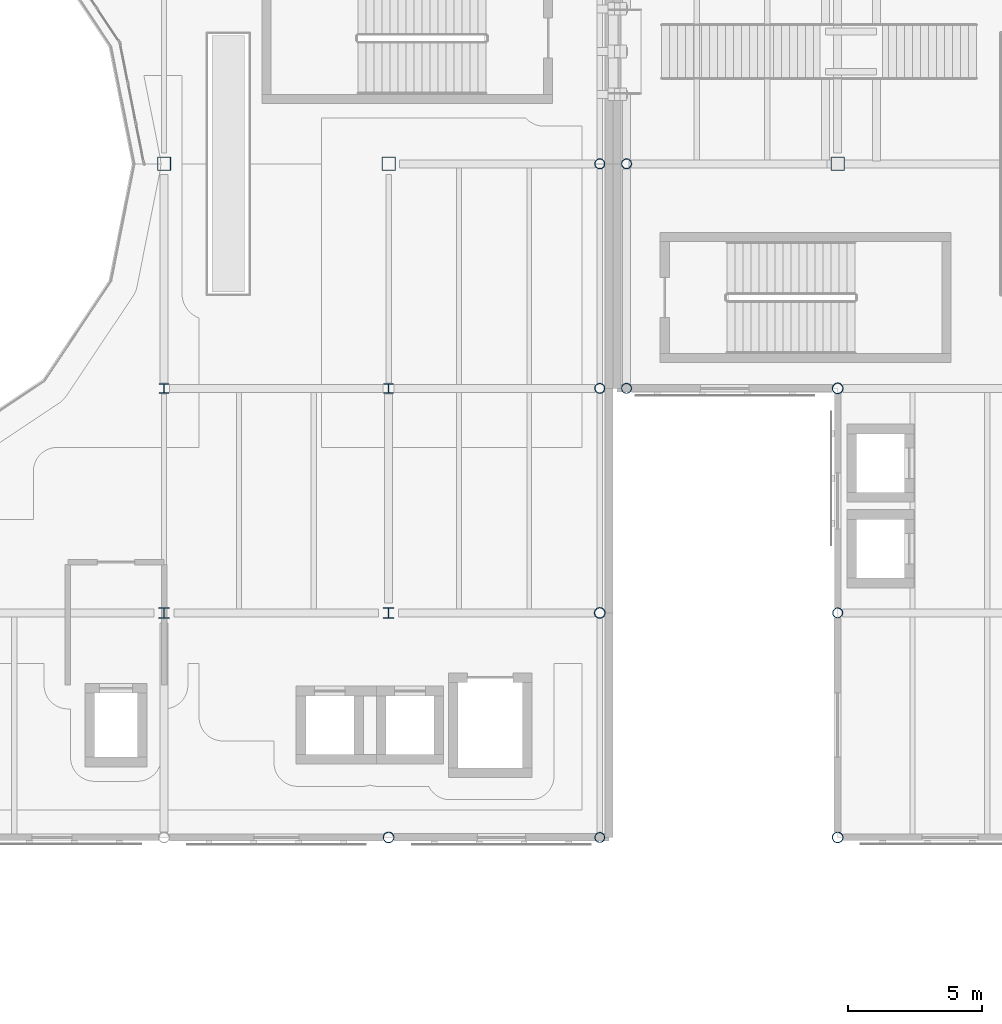
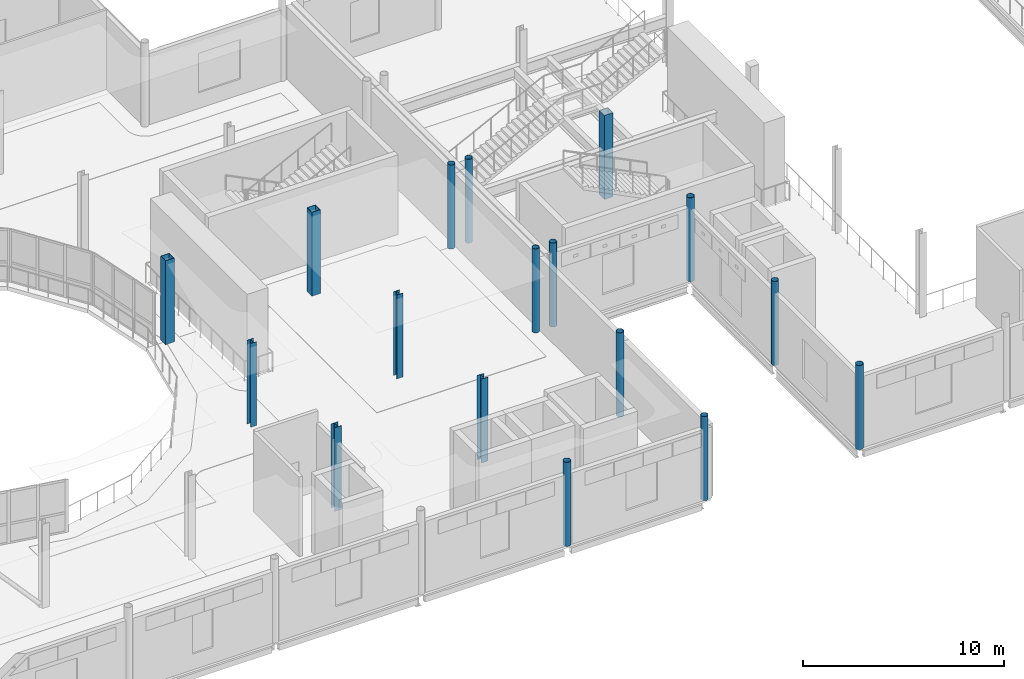
# One storey, part 2 of 104: 17 columns.
"""IFC4 building model written with IfcOpenShell, lengths in metres."""

from ifc_helpers import new_model, si_unit, direction, frame, origin, origin_2d, place, context, subcontext, project, spatial, hollow_rectangle, hollow_circle, i_section, extrude, material, material_profile, profile_set, type_object, element, save


model = new_model("IFC4")

# Units and contexts
model_context = context("Model", 3, precision=1e-05, world=origin(), true_north=direction((0.0, 1.0)))
body_context = subcontext(model_context, "Body", "Model", "MODEL_VIEW")
ifc_project = project(units=[si_unit("LENGTHUNIT", "METRE"), si_unit("AREAUNIT", "SQUARE_METRE"), si_unit("VOLUMEUNIT", "CUBIC_METRE"), si_unit("PLANEANGLEUNIT", "RADIAN"), si_unit("MASSUNIT", "GRAM", prefix="KILO"), si_unit("THERMODYNAMICTEMPERATUREUNIT", "KELVIN")], contexts=[model_context])

# Site, building, storey
site_placement = place(None, origin())
site = spatial("IfcSite", under=ifc_project, at=site_placement, CompositionType="ELEMENT")
building_placement = place(site_placement, origin())
building = spatial("IfcBuilding", under=site, at=building_placement, Name="Lustrewick Department Store", CompositionType="ELEMENT")
storey_placement = place(building_placement, frame((0.0, 0.0, 11.39990234375)))
storey = spatial("IfcBuildingStorey", under=building, at=storey_placement, Name="L03", CompositionType="ELEMENT", Elevation=11.39990234375)

# Columns
ifc_material_1 = material(Name="Structural steel Q355B", Category="steel")
ifc_material_profile_1 = material_profile(ifc_material_1, hollow_rectangle(XDim=0.5, YDim=0.5, WallThickness=0.02001953125, at=origin_2d()), Name="BOX 500x500x20")
ifc_profile_set_1 = profile_set([ifc_material_profile_1], Name="Structural steel Q355B")
column_type_1 = type_object("IfcColumnType", Name="C06", PredefinedType="COLUMN", material=ifc_profile_set_1)
for number, where, z_axis, x_axis, name in (
    (1, (42.0, 67.199951171875, 0.0), (0.0, 0.0, 1.0), (1.0, 0.0, 0.0), "L03 V1 Column C06"),
    (2, (50.39990234375, 67.199951171875, 0.0), (0.0, 0.0, 1.0), (1.0, 0.0, 0.0), "L03 V1 Column C06"),
    (3, (67.199951171875, 67.199951171875, 0.0), (0.0, 0.0, 1.0), (1.0, 0.0, 0.0), "L03 V2 Column C06"),
):
    element("IfcColumn", number, at=place(storey_placement, frame(where, z_axis=z_axis, x_axis=x_axis)), inside=storey, type_object=column_type_1, Name=name, PredefinedType="COLUMN", context=body_context, shape_type="SweptSolid", body=[
        extrude(hollow_rectangle(XDim=0.5, YDim=0.5, WallThickness=0.02001953125, at=origin_2d()), origin(), (0.0, 0.0, 1.0), 5.10009765625),
    ])
ifc_material_profile_2 = material_profile(ifc_material_1, i_section(OverallWidth=0.402099609375, OverallDepth=0.387939453125, WebThickness=0.014892578125, FlangeThickness=0.014892578125, FilletRadius=0.02197265625, at=origin_2d()), Name="HW 388x402x15x15")
ifc_profile_set_2 = profile_set([ifc_material_profile_2], Name="Structural steel Q355B")
column_type_2 = type_object("IfcColumnType", Name="C12", PredefinedType="COLUMN", material=ifc_profile_set_2)
for number, where, z_axis, x_axis, name in (
    (4, (42.0, 50.39990234375, 0.0), (0.0, 0.0, 1.0), (1.0, 0.0, 0.0), "L03 V1 Column C12"),
    (5, (50.39990234375, 50.39990234375, 0.0), (0.0, 0.0, 1.0), (1.0, 0.0, 0.0), "L03 V1 Column C12"),
):
    element("IfcColumn", number, at=place(storey_placement, frame(where, z_axis=z_axis, x_axis=x_axis)), inside=storey, type_object=column_type_2, Name=name, PredefinedType="COLUMN", context=body_context, shape_type="SweptSolid", body=[
        extrude(i_section(OverallWidth=0.402099609375, OverallDepth=0.387939453125, WebThickness=0.014892578125, FlangeThickness=0.014892578125, FilletRadius=0.02197265625, at=origin_2d()), origin(), (0.0, 0.0, 1.0), 5.10009765625),
    ])
ifc_material_profile_3 = material_profile(ifc_material_1, i_section(OverallWidth=0.35009765625, OverallDepth=0.35009765625, WebThickness=0.011962890625, FlangeThickness=0.01904296875, FilletRadius=0.02001953125, at=origin_2d()), Name="HW 350x350x12x19")
ifc_profile_set_3 = profile_set([ifc_material_profile_3], Name="Structural steel Q355B")
column_type_3 = type_object("IfcColumnType", Name="C13", PredefinedType="COLUMN", material=ifc_profile_set_3)
for number, where, z_axis, x_axis, name in (
    (6, (42.0, 58.800048828125, 0.0), (0.0, 0.0, 1.0), (1.0, 0.0, 0.0), "L03 V1 Column C13"),
    (7, (50.39990234375, 58.800048828125, 0.0), (0.0, 0.0, 1.0), (1.0, 0.0, 0.0), "L03 V1 Column C13"),
):
    element("IfcColumn", number, at=place(storey_placement, frame(where, z_axis=z_axis, x_axis=x_axis)), inside=storey, type_object=column_type_3, Name=name, PredefinedType="COLUMN", context=body_context, shape_type="SweptSolid", body=[
        extrude(i_section(OverallWidth=0.35009765625, OverallDepth=0.35009765625, WebThickness=0.011962890625, FlangeThickness=0.01904296875, FilletRadius=0.02001953125, at=origin_2d()), origin(), (0.0, 0.0, 1.0), 5.10009765625),
    ])
ifc_material_2 = material(Name="Structural steel Q355C", Category="steel")
ifc_material_profile_4 = material_profile(ifc_material_2, hollow_circle(Radius=0.202880859375, WallThickness=0.01611328125, at=origin_2d()), Name="CHS 406x16")
ifc_profile_set_4 = profile_set([ifc_material_profile_4], Name="Structural steel Q355C")
column_type_4 = type_object("IfcColumnType", Name="CE03", PredefinedType="COLUMN", material=ifc_profile_set_4)
for number, where, z_axis, x_axis, name in (
    (8, (50.39990234375, 42.0, 0.0), (0.0, 0.0, 1.0), (1.0, 0.0, 0.0), "L03 V1 Column CE03"),
    (9, (58.300048828125, 50.39990234375, 0.0), (0.0, 0.0, 1.0), (1.0, 0.0, 0.0), "L03 V1 Column CE03"),
    (10, (67.199951171875, 42.0, 0.0), (0.0, 0.0, 1.0), (1.0, 0.0, 0.0), "L03 V2 Column CE03"),
    (11, (67.199951171875, 58.800048828125, 0.0), (0.0, 0.0, 1.0), (1.0, 0.0, 0.0), "L03 V2 Column CE03"),
):
    element("IfcColumn", number, at=place(storey_placement, frame(where, z_axis=z_axis, x_axis=x_axis)), inside=storey, type_object=column_type_4, Name=name, PredefinedType="COLUMN", context=body_context, shape_type="SweptSolid", body=[
        extrude(hollow_circle(Radius=0.202880859375, WallThickness=0.01611328125, at=origin_2d()), origin(), (0.0, 0.0, 1.0), 5.10009765625),
    ])
ifc_material_profile_5 = material_profile(ifc_material_1, hollow_circle(Radius=0.1884765625, WallThickness=0.013916015625, at=origin_2d()), Name="CHS 377x14")
ifc_profile_set_5 = profile_set([ifc_material_profile_5], Name="Structural steel Q355B")
column_type_5 = type_object("IfcColumnType", Name="CE04", PredefinedType="COLUMN", material=ifc_profile_set_5)
for number, where, z_axis, x_axis, name in (
    (12, (58.300048828125, 42.0, 0.0), (0.0, 0.0, 1.0), (1.0, 0.0, 0.0), "L03 V1 Column CE04"),
    (13, (58.300048828125, 58.800048828125, 0.0), (0.0, 0.0, 1.0), (1.0, 0.0, 0.0), "L03 V1 Column CE04"),
    (14, (58.300048828125, 67.199951171875, 0.0), (0.0, 0.0, 1.0), (1.0, 0.0, 0.0), "L03 V1 Column CE04"),
    (15, (59.300048828125, 58.800048828125, 0.0), (0.0, 0.0, 1.0), (1.0, 0.0, 0.0), "L03 V2 Column CE04"),
    (16, (59.300048828125, 67.199951171875, 0.0), (0.0, 0.0, 1.0), (1.0, 0.0, 0.0), "L03 V2 Column CE04"),
    (17, (67.199951171875, 50.39990234375, 0.0), (0.0, 0.0, 1.0), (1.0, 0.0, 0.0), "L03 V2 Column CE04"),
):
    element("IfcColumn", number, at=place(storey_placement, frame(where, z_axis=z_axis, x_axis=x_axis)), inside=storey, type_object=column_type_5, Name=name, PredefinedType="COLUMN", context=body_context, shape_type="SweptSolid", body=[
        extrude(hollow_circle(Radius=0.1884765625, WallThickness=0.013916015625, at=origin_2d()), origin(), (0.0, 0.0, 1.0), 5.10009765625),
    ])

save(model, "model.ifc")
